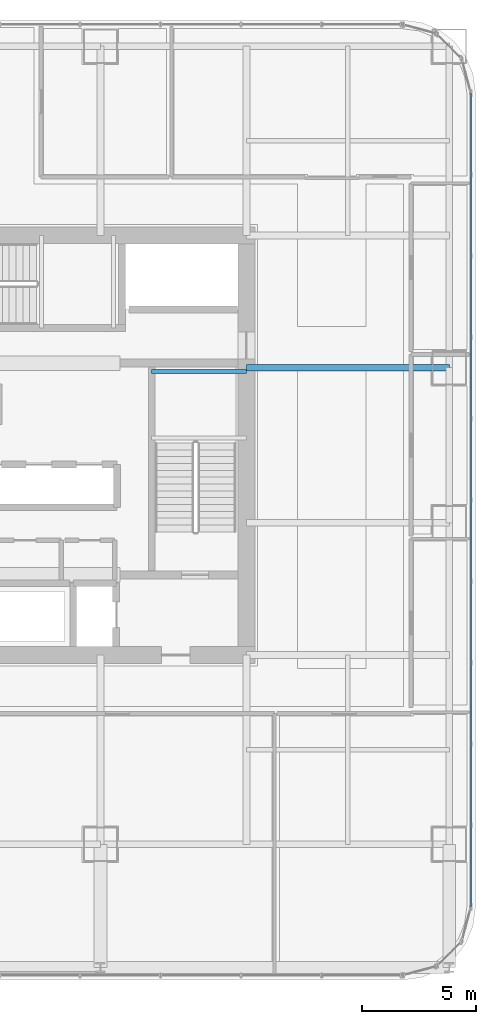
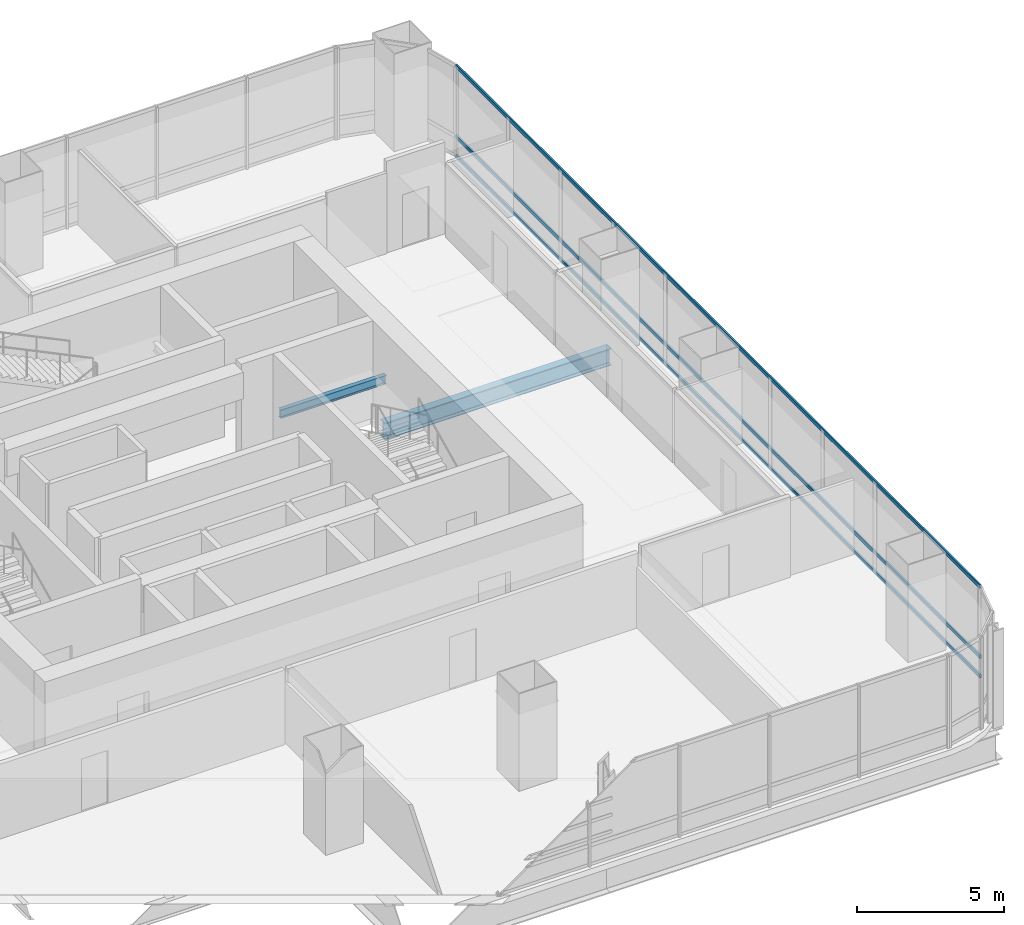
# One storey, part 16 of 36: 3 members, 2 beams, 1 element without a shape of its own.
"""IFC4 building model written with IfcOpenShell, lengths in metres."""

from ifc_helpers import new_model, si_unit, direction, frame, origin, origin_2d, place, context, subcontext, project, spatial, hollow_rectangle, i_section, extrude, material, material_profile, profile_set, type_object, element, aggregate, save


model = new_model("IFC4")

# Units and contexts
model_context = context("Model", 3, precision=1e-05, world=origin(), true_north=direction((0.0, 1.0)))
body_context = subcontext(model_context, "Body", "Model", "MODEL_VIEW")
ifc_project = project(units=[si_unit("LENGTHUNIT", "METRE"), si_unit("AREAUNIT", "SQUARE_METRE"), si_unit("VOLUMEUNIT", "CUBIC_METRE"), si_unit("PLANEANGLEUNIT", "RADIAN"), si_unit("MASSUNIT", "GRAM", prefix="KILO")], contexts=[model_context])

# Site, building, storey
site_placement = place(None, origin())
site = spatial("IfcSite", under=ifc_project, at=site_placement, CompositionType="ELEMENT")
building_placement = place(site_placement, origin())
building = spatial("IfcBuilding", under=site, at=building_placement, Name="Punatoya Terracotta Tower", CompositionType="ELEMENT")
storey_placement = place(building_placement, frame((0.0, 0.0, 40.35009765625)))
storey = spatial("IfcBuildingStorey", under=building, at=storey_placement, Name="L08", CompositionType="ELEMENT", Elevation=40.35009765625)

# Beams
ifc_material_1 = material(Name="Steel S355", Category="steel")
ifc_material_profile_1 = material_profile(ifc_material_1, i_section(OverallWidth=0.300048828125, OverallDepth=0.699951171875, WebThickness=0.01708984375, FlangeThickness=0.031982421875, FilletRadius=0.01806640625, at=origin_2d()))
ifc_profile_set_1 = profile_set([ifc_material_profile_1], Name="Steel S355")
beam_type_1 = type_object("IfcBeamType", Name="BM-PRI-700", PredefinedType="BEAM", material=ifc_profile_set_1)
beam_1_placement = place(storey_placement, frame((10.199951171875, 3.39990234375, -0.590087890625), z_axis=(1.0, 0.0, 0.0), x_axis=(0.0, 1.0, 0.0)))
element("IfcBeam", 1, at=beam_1_placement, inside=storey, type_object=beam_type_1, Name="BM-L08-PR-EE", PredefinedType="BEAM", context=body_context, shape_type="SweptSolid", body=[
    extrude(i_section(OverallWidth=0.300048828125, OverallDepth=0.699951171875, WebThickness=0.01708984375, FlangeThickness=0.031982421875, FilletRadius=0.01806640625, at=origin_2d()), origin(), (0.0, 0.0, 1.0), 8.900146484375),
])
ifc_material_profile_2 = material_profile(ifc_material_1, i_section(OverallWidth=0.169921875, OverallDepth=0.360107421875, WebThickness=0.008056640625, FlangeThickness=0.0126953125, FilletRadius=0.01806640625, at=origin_2d()))
ifc_profile_set_2 = profile_set([ifc_material_profile_2], Name="Steel S355")
beam_type_2 = type_object("IfcBeamType", Name="BM-SEC-360", PredefinedType="JOIST", material=ifc_profile_set_2)
beam_2_placement = place(storey_placement, frame((6.050048828125, 3.22998046875, 1.64501953125), z_axis=(1.0, 0.0, 0.0), x_axis=(0.0, 1.0, 0.0)))
element("IfcBeam", 2, at=beam_2_placement, inside=storey, type_object=beam_type_2, Name="BM-L08-ST-2-LD1B", PredefinedType="JOIST", context=body_context, shape_type="SweptSolid", body=[
    extrude(i_section(OverallWidth=0.169921875, OverallDepth=0.360107421875, WebThickness=0.008056640625, FlangeThickness=0.0126953125, FilletRadius=0.01806640625, at=origin_2d()), origin(), (0.0, 0.0, 1.0), 4.14990234375),
])

# Curtain wall, members
ifc_material_2 = material(Name="Aluminium 6063-T6 + Double Low-E Glass", Category="aluminium")
curtain_wall_type = type_object("IfcCurtainWallType", Name="CW-M1", PredefinedType="NOTDEFINED", material=ifc_material_2)
curtain_wall_placement = place(storey_placement, origin())
curtain_wall = element("IfcCurtainWall", 3, at=curtain_wall_placement, inside=storey, type_object=curtain_wall_type, Name="L08 Curtain Wall CW-L08-E05-1", PredefinedType="NOTDEFINED")
ifc_material_3 = material(Name="Aluminium 6063-T6", Category="aluminium")
ifc_material_profile_3 = material_profile(ifc_material_3, hollow_rectangle(XDim=0.068115234375, YDim=0.14990234375, WallThickness=0.00390625, at=origin_2d()))
ifc_profile_set_3 = profile_set([ifc_material_profile_3], Name="Aluminium 6063-T6")
member_type = type_object("IfcMemberType", Name="CW-TRN-TYP", PredefinedType="USERDEFINED", material=ifc_profile_set_3)
member_1_placement = place(storey_placement, frame((20.050048828125, -20.23681640625, 0.039794921875), z_axis=(0.0, 1.0, 0.0), x_axis=(-1.0, 0.0, 0.0)))
member_1 = element("IfcMember", 4, at=member_1_placement, type_object=member_type, Name="CW-L08-E05-1 Transom 1", ObjectType="TRANSOM", PredefinedType="USERDEFINED", context=body_context, shape_type="SweptSolid", body=[
    extrude(hollow_rectangle(XDim=0.068115234375, YDim=0.14990234375, WallThickness=0.00390625, at=origin_2d()), origin(), (0.0, 0.0, 1.0), 35.673828125),
])
member_2_placement = place(storey_placement, frame((20.050048828125, -20.23681640625, 0.849853515625), z_axis=(0.0, 1.0, 0.0), x_axis=(-1.0, 0.0, 0.0)))
member_2 = element("IfcMember", 5, at=member_2_placement, type_object=member_type, Name="CW-L08-E05-1 Transom 2", ObjectType="TRANSOM", PredefinedType="USERDEFINED", context=body_context, shape_type="SweptSolid", body=[
    extrude(hollow_rectangle(XDim=0.068115234375, YDim=0.14990234375, WallThickness=0.00390625, at=origin_2d()), origin(), (0.0, 0.0, 1.0), 35.673828125),
])
member_3_placement = place(storey_placement, frame((20.050048828125, -20.23681640625, 3.77001953125), z_axis=(0.0, 1.0, 0.0), x_axis=(-1.0, 0.0, 0.0)))
member_3 = element("IfcMember", 6, at=member_3_placement, type_object=member_type, Name="CW-L08-E05-1 Transom 3", ObjectType="TRANSOM", PredefinedType="USERDEFINED", context=body_context, shape_type="SweptSolid", body=[
    extrude(hollow_rectangle(XDim=0.068115234375, YDim=0.14990234375, WallThickness=0.00390625, at=origin_2d()), origin(), (0.0, 0.0, 1.0), 35.673828125),
])
aggregate(curtain_wall, [member_1, member_2, member_3])

save(model, "model.ifc")
